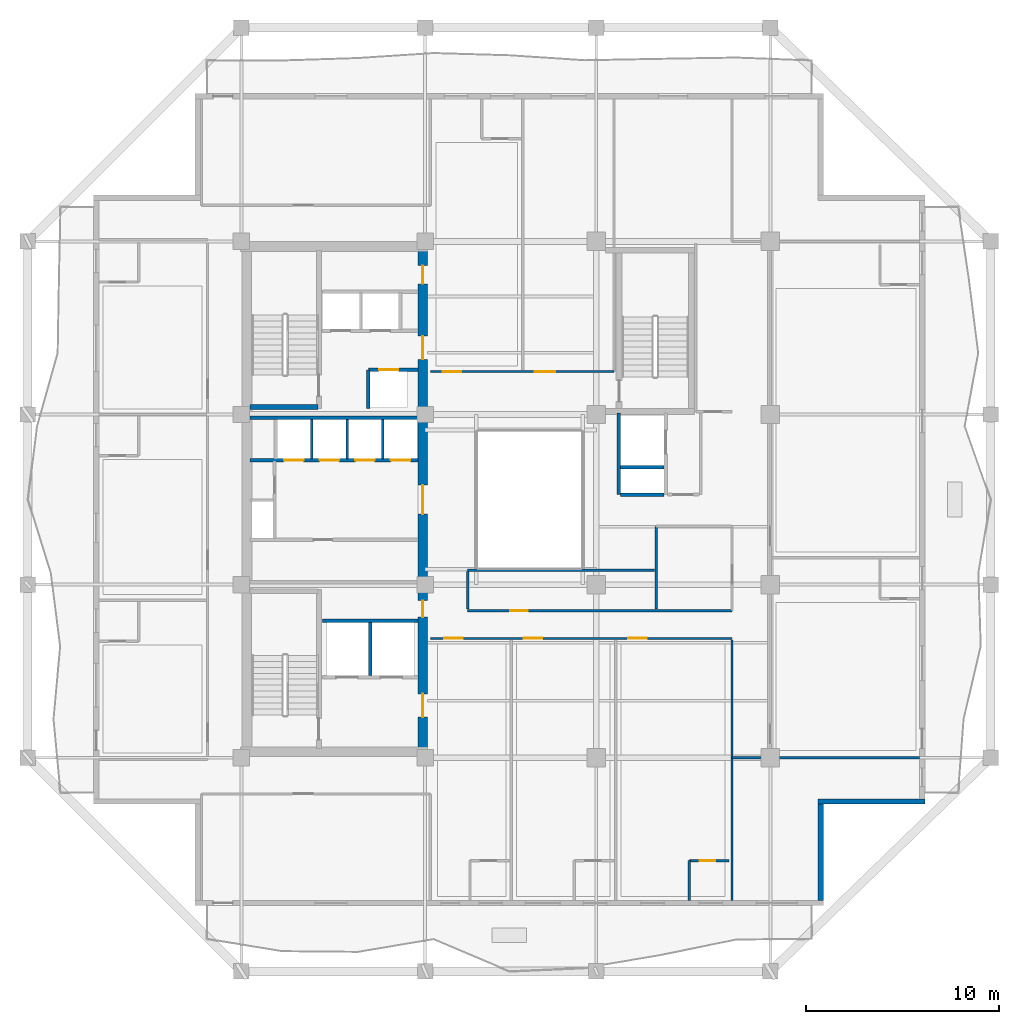
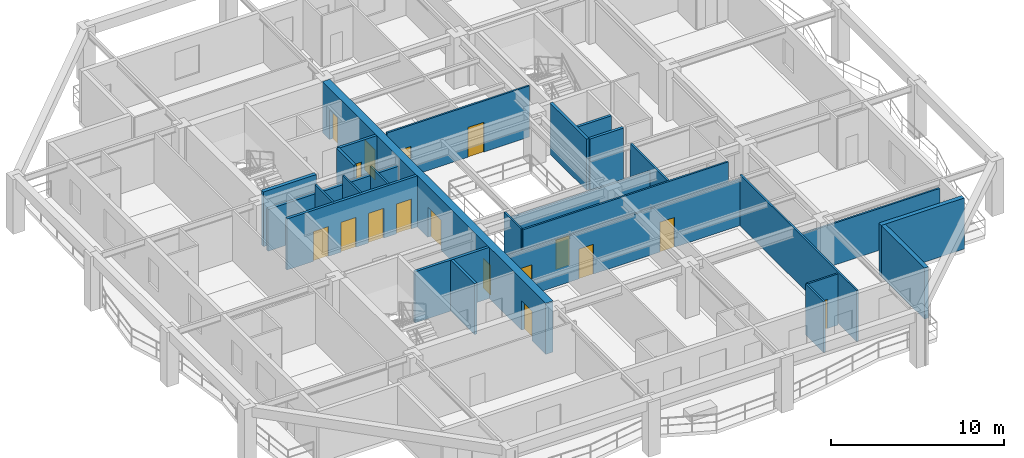
# One storey, part 4 of 12: 26 walls, 17 doors, 17 openings.
"""IFC4 building model written with IfcOpenShell, lengths in metres."""

import ifcopenshell
import ifcopenshell.guid

model = None  # the IFC model being written
_history = None  # IfcOwnerHistory: only IFC2X3 demands one
_inside = {}  # id of a spatial element -> (the spatial element, [elements in it])
_under = {}  # id of a project, library or spatial element -> (it, [spatial elements below it])
_declared = {}  # id of a project -> (the project, [libraries it declares])
_typed = {}  # id of a type object -> (the type object, [elements of that type])
_made_of = {}  # id of a material, layer set ... -> (it, [elements and type objects made of it])


def new_model(schema):
    """Start an empty IFC model of exactly this schema.

    Asked for "IFC4X3", IfcOpenShell would pick the latest addendum, in which some entities
    have other attributes; the version numbers below select the first issue.
    IFC2X3 requires an IfcOwnerHistory on every rooted entity: one is made here for all.
    """
    global model, _history
    if schema == "IFC4X3":
        model = ifcopenshell.file(schema_version=(4, 3, 0, 0))
    else:
        model = ifcopenshell.file(schema=schema)
    _inside.clear()
    _under.clear()
    _declared.clear()
    _typed.clear()
    _made_of.clear()
    _history = None
    if model.schema == "IFC2X3":
        org = make("IfcOrganization", Name="unknown")
        user = make(
            "IfcPersonAndOrganization",
            ThePerson=make("IfcPerson", FamilyName="unknown"),
            TheOrganization=org,
        )
        app = make(
            "IfcApplication",
            ApplicationDeveloper=org,
            Version="unknown",
            ApplicationFullName="unknown",
            ApplicationIdentifier="unknown",
        )
        _history = make(
            "IfcOwnerHistory",
            OwningUser=user,
            OwningApplication=app,
            ChangeAction="ADDED",
            CreationDate=0,
        )
    return model


def make(cls, **values):
    """One entity of the class cls with the attributes given. An attribute that is None is left unset."""
    return model.create_entity(
        cls, **{name: value for name, value in values.items() if value is not None}
    )


def rooted(cls, **values):
    """An entity with a GlobalId (a new one), such as an element, a storey or a relation."""
    return make(cls, GlobalId=ifcopenshell.guid.new(), OwnerHistory=_history, **values)


def si_unit(unit_type, name, prefix=None):
    """IfcSIUnit, for example si_unit("LENGTHUNIT", "METRE", prefix="MILLI")."""
    return make("IfcSIUnit", UnitType=unit_type, Prefix=prefix, Name=name)


def assignment(units):
    """IfcUnitAssignment: the units of a project."""
    return None if units is None else make("IfcUnitAssignment", Units=units)


def point(xyz):
    """IfcCartesianPoint."""
    return None if xyz is None else make("IfcCartesianPoint", Coordinates=xyz)


def direction(xyz):
    """IfcDirection."""
    return None if xyz is None else make("IfcDirection", DirectionRatios=xyz)


def frame(location, z_axis=None, x_axis=None):
    """IfcAxis2Placement3D, a coordinate frame: its origin and axes. An axis left out is left unset."""
    return make(
        "IfcAxis2Placement3D",
        Location=point(location),
        Axis=direction(z_axis),
        RefDirection=direction(x_axis),
    )


def frame_2d(location, x_axis=None):
    """IfcAxis2Placement2D, a coordinate frame in the plane: its origin and x axis."""
    return make(
        "IfcAxis2Placement2D", Location=point(location), RefDirection=direction(x_axis)
    )


def origin():
    """The frame at (0, 0, 0) with its axes left unset."""
    return frame((0.0, 0.0, 0.0))


def place(relative_to, where):
    """IfcLocalPlacement: puts the frame where relative to a parent placement (None: the world)."""
    return make(
        "IfcLocalPlacement", PlacementRelTo=relative_to, RelativePlacement=where
    )


def context(
    kind, dimensions, precision=None, world=None, true_north=None, identifier=None
):
    """IfcGeometricRepresentationContext, for example the 3D "Model" context."""
    return make(
        "IfcGeometricRepresentationContext",
        ContextIdentifier=identifier,
        ContextType=kind,
        CoordinateSpaceDimension=dimensions,
        Precision=precision,
        WorldCoordinateSystem=world,
        TrueNorth=true_north,
    )


def subcontext(parent, identifier, kind, view, scale=None):
    """IfcGeometricRepresentationSubContext, for example "Body" below "Model"."""
    return make(
        "IfcGeometricRepresentationSubContext",
        ContextIdentifier=identifier,
        ContextType=kind,
        ParentContext=parent,
        TargetScale=scale,
        TargetView=view,
    )


def project(units=None, contexts=None):
    """IfcProject with its units and contexts."""
    return rooted(
        "IfcProject",
        Name="project",
        RepresentationContexts=contexts,
        UnitsInContext=assignment(units),
    )


def spatial(cls, under=None, at=None, **own):
    """A site, building, storey or space (cls), placed at a placement, below another one or the project."""
    s = rooted(cls, ObjectPlacement=at, **own)
    if under is not None:
        _under.setdefault(under.id(), (under, []))[1].append(s)
    return s


def profile(cls, at=None, kind="AREA", **sizes):
    """A parametric profile (cls). Its sizes go by their IFC names, for example OverallWidth=200.0."""
    return make(cls, ProfileType=kind, Position=at, **sizes)


def rectangle(**sizes):
    """IfcRectangleProfileDef."""
    return profile("IfcRectangleProfileDef", **sizes)


def extrude(swept, where, along, depth):
    """IfcExtrudedAreaSolid: the profile swept, set in the frame where, extruded along a direction by depth."""
    return make(
        "IfcExtrudedAreaSolid",
        SweptArea=swept,
        Position=where,
        ExtrudedDirection=direction(along),
        Depth=depth,
    )


def shape(context_of_items, identifier, shape_type, items):
    """IfcShapeRepresentation: the items that make up one representation, for example the "Body"."""
    return make(
        "IfcShapeRepresentation",
        ContextOfItems=context_of_items,
        RepresentationIdentifier=identifier,
        RepresentationType=shape_type,
        Items=items,
    )


def material(Name=None, Category=None):
    """IfcMaterial."""
    return make("IfcMaterial", Name=Name, Category=Category)


def layer(
    of_material, thickness, ventilated=None, Name=None, Category=None, Priority=None
):
    """IfcMaterialLayer: one layer of a wall or slab, of a material (None: an air gap)."""
    return make(
        "IfcMaterialLayer",
        Material=of_material,
        LayerThickness=thickness,
        IsVentilated=ventilated,
        Name=Name,
        Category=Category,
        Priority=Priority,
    )


def layer_set(layers, Name=None):
    """IfcMaterialLayerSet."""
    return make("IfcMaterialLayerSet", MaterialLayers=layers, LayerSetName=Name)


def made_of(thing, what):
    """Note that an element or type object is made of a material, layer set ...; save() writes the relation."""
    if what is not None:
        _made_of.setdefault(what.id(), (what, []))[1].append(thing)
    return thing


def type_object(cls, material=None, **own):
    """A type object (cls), such as IfcWallType, which elements share."""
    return made_of(rooted(cls, **own), material)


def element(
    cls,
    number,
    at=None,
    inside=None,
    cuts=None,
    type_object=None,
    material=None,
    context=None,
    identifier="Body",
    shape_type=None,
    held_by="IfcProductDefinitionShape",
    body=None,
    shapes=None,
    **own,
):
    """One element of the class cls, such as IfcWall. Its Tag is "e" and its number.

    at: its placement. inside: the storey or other place that contains it. cuts: it is an
    opening in that element (IfcRelVoidsElement). A single representation is given by context,
    identifier, shape_type and body (its items); several are given by shapes. held_by: the class
    of the entity that holds the representations. save() writes the other relations.
    """
    e = rooted(cls, Tag="e%d" % number, ObjectPlacement=at, **own)
    if body is not None:
        shapes = [shape(context, identifier, shape_type, body)]
    if shapes is not None:
        e.Representation = make(held_by, Representations=shapes)
    if inside is not None:
        _inside.setdefault(inside.id(), (inside, []))[1].append(e)
    if cuts is not None:
        rooted(
            "IfcRelVoidsElement", RelatingBuildingElement=cuts, RelatedOpeningElement=e
        )
    if type_object is not None:
        _typed.setdefault(type_object.id(), (type_object, []))[1].append(e)
    return made_of(e, material)


def fill(opening, filler):
    """IfcRelFillsElement: the door or window that sits in an opening."""
    return rooted(
        "IfcRelFillsElement",
        RelatingOpeningElement=opening,
        RelatedBuildingElement=filler,
    )


def aggregate(whole, parts):
    """IfcRelAggregates: a whole, such as a stair, and the parts it consists of."""
    return rooted("IfcRelAggregates", RelatingObject=whole, RelatedObjects=parts)


def save(model, path):
    """Write the relations noted so far, then the file.

    IfcRelAggregates (storeys below a building ...), IfcRelContainedInSpatialStructure (elements
    in a storey), IfcRelDefinesByType, IfcRelAssociatesMaterial and IfcRelDeclares: one each for
    every whole, place, type object, material and project.
    """
    for whole, parts in _under.values():
        aggregate(whole, parts)
    for where, things in _inside.values():
        rooted(
            "IfcRelContainedInSpatialStructure",
            RelatedElements=things,
            RelatingStructure=where,
        )
    for kind, things in _typed.values():
        rooted("IfcRelDefinesByType", RelatedObjects=things, RelatingType=kind)
    for what, things in _made_of.values():
        rooted("IfcRelAssociatesMaterial", RelatedObjects=things, RelatingMaterial=what)
    for by, libraries in _declared.values():
        rooted("IfcRelDeclares", RelatingContext=by, RelatedDefinitions=libraries)
    model.write(path)


model = new_model("IFC4")

# Units and contexts
model_context = context("Model", 3, precision=1e-05, world=origin(), true_north=direction((0.0, 1.0)))
body_context = subcontext(model_context, "Body", "Model", "MODEL_VIEW")
ifc_project = project(units=[si_unit("LENGTHUNIT", "METRE"), si_unit("AREAUNIT", "SQUARE_METRE"), si_unit("VOLUMEUNIT", "CUBIC_METRE"), si_unit("PLANEANGLEUNIT", "RADIAN"), si_unit("MASSUNIT", "GRAM", prefix="KILO")], contexts=[model_context])

# Site, building, storey
site_placement = place(None, origin())
site = spatial("IfcSite", under=ifc_project, at=site_placement, CompositionType="ELEMENT")
building_placement = place(site_placement, origin())
building = spatial("IfcBuilding", under=site, at=building_placement, Name="Kundavana Baori Tower", CompositionType="ELEMENT")
storey_placement = place(building_placement, frame((0.0, 0.0, 173.300048828125)))
storey = spatial("IfcBuildingStorey", under=building, at=storey_placement, Name="L42", CompositionType="ELEMENT", Elevation=173.300048828125)

# Wall
ifc_material_1 = material(Name="Concrete C50/60", Category="concrete")
ifc_layer_1 = layer(ifc_material_1, 0.39990234375, Name="WL-CORE-400")
ifc_layer_set_1 = layer_set([ifc_layer_1], Name="Concrete C50/60")
wall_type_1 = type_object("IfcWallType", Name="WL-CORE-400", PredefinedType="SHEAR", material=ifc_layer_set_1)
wall_1_placement = place(storey_placement, frame((15.89990234375, 33.389892578125, 0.0), z_axis=(0.0, 0.0, 1.0), x_axis=(1.0, 0.0, 0.0)))
element("IfcWall", 1, at=wall_1_placement, inside=storey, type_object=wall_type_1, Name="WL-L42-ST2-S", PredefinedType="SHEAR", context=body_context, shape_type="SweptSolid", body=[
    extrude(rectangle(XDim=3.52001953125, YDim=0.239990234375, at=frame_2d((1.760009765625, 0.0))), origin(), (0.0, 0.0, 1.0), 3.849853515625),
])

# Wall, openings, doors
ifc_material_2 = material(Name="Concrete C50/60", Category="concrete")
ifc_layer_2 = layer(ifc_material_2, 0.5, Name="WL-CORE-500")
ifc_layer_set_2 = layer_set([ifc_layer_2], Name="Concrete C50/60")
wall_type_2 = type_object("IfcWallType", Name="WL-CORE-500", PredefinedType="SHEAR", material=ifc_layer_set_2)
wall_2_placement = place(storey_placement, frame((24.830078125, 15.739990234375, 0.0), z_axis=(0.0, 0.0, 1.0), x_axis=(0.0, 1.0, 0.0)))
wall_2 = element("IfcWall", 2, at=wall_2_placement, inside=storey, type_object=wall_type_2, Name="L42 Offset Core East Shear Wall", PredefinedType="SHEAR", context=body_context, shape_type="SweptSolid", body=[
    extrude(rectangle(XDim=25.760009765625, YDim=0.5, at=frame_2d((12.8798828125, 0.0))), origin(), (0.0, 0.0, 1.0), 3.599853515625),
])
opening_1_placement = place(wall_2_placement, frame((1.610107421875, 0.0, 0.0)))
opening_1 = element("IfcOpeningElement", 3, at=opening_1_placement, cuts=wall_2, Name="Opening FD-120", PredefinedType="OPENING", context=body_context, shape_type="SweptSolid", body=[
    extrude(rectangle(XDim=1.199951171875, YDim=2.10009765625, at=frame_2d((0.60009765625, 1.050048828125))), frame((0.0, 0.260009765625, 0.0), z_axis=(0.0, -1.0, 0.0), x_axis=(1.0, 0.0, 0.0)), (0.0, 0.0, 1.0), 0.52001953125),
])
opening_2_placement = place(wall_2_placement, frame((6.780029296875, 0.0, 0.0)))
opening_2 = element("IfcOpeningElement", 4, at=opening_2_placement, cuts=wall_2, Name="Opening FD-085", PredefinedType="OPENING", context=body_context, shape_type="SweptSolid", body=[
    extrude(rectangle(XDim=0.85009765625, YDim=2.06005859375, at=frame_2d((0.425048828125, 1.030029296875))), frame((0.0, 0.260009765625, 0.0), z_axis=(0.0, -1.0, 0.0), x_axis=(1.0, 0.0, 0.0)), (0.0, 0.0, 1.0), 0.52001953125),
])
opening_3_placement = place(wall_2_placement, frame((12.110107421875, 0.0, 0.0)))
opening_3 = element("IfcOpeningElement", 5, at=opening_3_placement, cuts=wall_2, Name="Opening FD-150", PredefinedType="OPENING", context=body_context, shape_type="SweptSolid", body=[
    extrude(rectangle(XDim=1.5, YDim=2.1201171875, at=frame_2d((0.75, 1.06005859375))), frame((0.0, 0.260009765625, 0.0), z_axis=(0.0, -1.0, 0.0), x_axis=(1.0, 0.0, 0.0)), (0.0, 0.0, 1.0), 0.52001953125),
])
opening_4_placement = place(wall_2_placement, frame((20.110107421875, 0.0, 0.0)))
opening_4 = element("IfcOpeningElement", 6, at=opening_4_placement, cuts=wall_2, Name="Opening FD-122", PredefinedType="OPENING", context=body_context, shape_type="SweptSolid", body=[
    extrude(rectangle(XDim=1.199951171875, YDim=2.1201171875, at=frame_2d((0.60009765625, 1.06005859375))), frame((0.0, 0.260009765625, 0.0), z_axis=(0.0, -1.0, 0.0), x_axis=(1.0, 0.0, 0.0)), (0.0, 0.0, 1.0), 0.52001953125),
])
opening_5_placement = place(wall_2_placement, frame((24.010009765625, 0.0, 0.0)))
opening_5 = element("IfcOpeningElement", 7, at=opening_5_placement, cuts=wall_2, Name="Opening FD-095", PredefinedType="OPENING", context=body_context, shape_type="SweptSolid", body=[
    extrude(rectangle(XDim=0.949951171875, YDim=2.10009765625, at=frame_2d((0.47509765625, 1.050048828125))), frame((0.0, 0.260009765625, 0.0), z_axis=(0.0, -1.0, 0.0), x_axis=(1.0, 0.0, 0.0)), (0.0, 0.0, 1.0), 0.52001953125),
])
ifc_material_3 = material(Name="Galvanised Steel Fire-Rated Door Leaf", Category="steel")
door_type_1 = type_object("IfcDoorType", Name="DR-FD120-1200", OperationType="NOTDEFINED", PredefinedType="DOOR", material=ifc_material_3)
door_1_placement = place(opening_1_placement, frame((1.199951171875, 0.0, 0.0), z_axis=(0.0, 0.0, 1.0), x_axis=(-1.0, 0.0, 0.0)))
door_1 = element("IfcDoor", 8, at=door_1_placement, inside=storey, type_object=door_type_1, Name="DR-L42-FFLOB-E", OperationType="SINGLE_SWING_RIGHT", OverallHeight=2.10009765625, OverallWidth=1.199951171875, PredefinedType="DOOR", context=body_context, shape_type="SweptSolid", body=[
    extrude(rectangle(XDim=1.199951171875, YDim=2.10009765625, at=frame_2d((0.60009765625, 1.050048828125))), frame((0.0, 0.02490234375, 0.0), z_axis=(0.0, -1.0, 0.0), x_axis=(1.0, 0.0, 0.0)), (0.0, 0.0, 1.0), 0.050048828125),
])
fill(opening_1, door_1)
ifc_material_4 = material(Name="Galvanised Steel Fire-Rated Door Leaf", Category="steel")
door_type_2 = type_object("IfcDoorType", Name="DR-FD60-1200", OperationType="NOTDEFINED", PredefinedType="DOOR", material=ifc_material_4)
door_2_placement = place(opening_4_placement, frame((1.199951171875, 0.0, 0.0), z_axis=(0.0, 0.0, 1.0), x_axis=(-1.0, 0.0, 0.0)))
door_2 = element("IfcDoor", 9, at=door_2_placement, inside=storey, type_object=door_type_2, Name="DR-L42-HRLOB-E", OperationType="SINGLE_SWING_RIGHT", OverallHeight=2.1201171875, OverallWidth=1.199951171875, PredefinedType="DOOR", context=body_context, shape_type="SweptSolid", body=[
    extrude(rectangle(XDim=1.199951171875, YDim=2.1201171875, at=frame_2d((0.60009765625, 1.06005859375))), frame((0.0, 0.02490234375, 0.0), z_axis=(0.0, -1.0, 0.0), x_axis=(1.0, 0.0, 0.0)), (0.0, 0.0, 1.0), 0.050048828125),
])
fill(opening_4, door_2)
ifc_material_5 = material(Name="Galvanised Steel Fire-Rated Door Leaf", Category="steel")
door_type_3 = type_object("IfcDoorType", Name="DR-FD60-1500", OperationType="NOTDEFINED", PredefinedType="DOOR", material=ifc_material_5)
door_3_placement = place(opening_3_placement, frame((1.5, 0.0, 0.0), z_axis=(0.0, 0.0, 1.0), x_axis=(-1.0, 0.0, 0.0)))
door_3 = element("IfcDoor", 10, at=door_3_placement, inside=storey, type_object=door_type_3, Name="DR-L42-LIFTHALL-E", OperationType="SINGLE_SWING_LEFT", OverallHeight=2.1201171875, OverallWidth=1.5, PredefinedType="DOOR", context=body_context, shape_type="SweptSolid", body=[
    extrude(rectangle(XDim=1.5, YDim=2.1201171875, at=frame_2d((0.75, 1.06005859375))), frame((0.0, 0.02490234375, 0.0), z_axis=(0.0, -1.0, 0.0), x_axis=(1.0, 0.0, 0.0)), (0.0, 0.0, 1.0), 0.050048828125),
])
fill(opening_3, door_3)
ifc_material_6 = material(Name="Galvanised Steel Fire-Rated Door Leaf", Category="steel")
door_type_4 = type_object("IfcDoorType", Name="DR-FD60-850", OperationType="NOTDEFINED", PredefinedType="DOOR", material=ifc_material_6)
door_4_placement = place(opening_2_placement, frame((0.85009765625, 0.0, 0.0), z_axis=(0.0, 0.0, 1.0), x_axis=(-1.0, 0.0, 0.0)))
door_4 = element("IfcDoor", 11, at=door_4_placement, inside=storey, type_object=door_type_4, Name="DR-L42-CSMK1", OperationType="SINGLE_SWING_LEFT", OverallHeight=2.06005859375, OverallWidth=0.85009765625, PredefinedType="DOOR", context=body_context, shape_type="SweptSolid", body=[
    extrude(rectangle(XDim=0.85009765625, YDim=2.06005859375, at=frame_2d((0.425048828125, 1.030029296875))), frame((0.0, 0.02490234375, 0.0), z_axis=(0.0, -1.0, 0.0), x_axis=(1.0, 0.0, 0.0)), (0.0, 0.0, 1.0), 0.050048828125),
])
fill(opening_2, door_4)
ifc_material_7 = material(Name="Engineered Teak Fire-Rated Timber Door Leaf", Category="wood")
door_type_5 = type_object("IfcDoorType", Name="DR-FD60-950", OperationType="NOTDEFINED", PredefinedType="DOOR", material=ifc_material_7)
door_5_placement = place(opening_5_placement, frame((0.949951171875, 0.0, 0.0), z_axis=(0.0, 0.0, 1.0), x_axis=(-1.0, 0.0, 0.0)))
door_5 = element("IfcDoor", 12, at=door_5_placement, inside=storey, type_object=door_type_5, Name="DR-L42-CSRV1", OperationType="SINGLE_SWING_LEFT", OverallHeight=2.10009765625, OverallWidth=0.949951171875, PredefinedType="DOOR", context=body_context, shape_type="SweptSolid", body=[
    extrude(rectangle(XDim=0.949951171875, YDim=2.10009765625, at=frame_2d((0.47509765625, 1.050048828125))), frame((0.0, 0.02490234375, 0.0), z_axis=(0.0, -1.0, 0.0), x_axis=(1.0, 0.0, 0.0)), (0.0, 0.0, 1.0), 0.050048828125),
])
fill(opening_5, door_5)

# Walls
ifc_material_8 = material(Name="Red-Buff Dholpur Sandstone Cladding on Concrete C40/50", Category="masonry")
ifc_layer_3 = layer(ifc_material_8, 0.280029296875, Name="WL-EXT-SAND-280")
ifc_layer_set_3 = layer_set([ifc_layer_3], Name="Red-Buff Dholpur Sandstone Cladding on Concrete C40/50")
wall_type_3 = type_object("IfcWallType", Name="WL-EXT-SAND-280", PredefinedType="STANDARD", material=ifc_layer_set_3)
wall_3_placement = place(storey_placement, frame((45.409912109375, 7.8798828125, 0.0), z_axis=(0.0, 0.0, 1.0), x_axis=(0.0, 1.0, 0.0)))
element("IfcWall", 13, at=wall_3_placement, inside=storey, type_object=wall_type_3, Name="L42 Exterior Insulated Facade Wall 02", PredefinedType="STANDARD", context=body_context, shape_type="SweptSolid", body=[
    extrude(rectangle(XDim=4.97021484375, YDim=0.280029296875, at=frame_2d((2.485107421875, 0.0))), origin(), (0.0, 0.0, 1.0), 3.599853515625),
])
wall_4_placement = place(storey_placement, frame((45.27001953125, 12.989990234375, 0.0), z_axis=(0.0, 0.0, 1.0), x_axis=(1.0, 0.0, 0.0)))
element("IfcWall", 14, at=wall_4_placement, inside=storey, type_object=wall_type_3, Name="L42 Exterior Insulated Facade Wall 03", PredefinedType="STANDARD", context=body_context, shape_type="SweptSolid", body=[
    extrude(rectangle(XDim=5.530029296875, YDim=0.280029296875, at=frame_2d((2.76513671875, 0.0))), origin(), (0.0, 0.0, 1.0), 3.599853515625),
])
ifc_material_9 = material(Name="Acoustic Gypsum Plasterboard on Galvanised Steel Studs", Category="steel")
ifc_layer_4 = layer(ifc_material_9, 0.1201171875, Name="WL-PART-120")
ifc_layer_set_4 = layer_set([ifc_layer_4], Name="Acoustic Gypsum Plasterboard on Galvanised Steel Studs")
wall_type_4 = type_object("IfcWallType", Name="WL-PART-120", PredefinedType="PARTITIONING", material=ifc_layer_set_4)
for number, where, z_axis, x_axis, name in (
    (15, (19.080078125, 30.699951171875, 0.0), (0.0, 0.0, 1.0), (0.0, 1.0, 0.0), "WL-L42-LPMID-D1"),
    (16, (20.919921875, 30.699951171875, 0.0), (0.0, 0.0, 1.0), (0.0, 1.0, 0.0), "WL-L42-LPMID-D2"),
    (17, (22.760009765625, 30.699951171875, 0.0), (0.0, 0.0, 1.0), (0.0, 1.0, 0.0), "WL-L42-LPMID-D3"),
):
    element("IfcWall", number, at=place(storey_placement, frame(where, z_axis=z_axis, x_axis=x_axis)), inside=storey, type_object=wall_type_4, Name=name, PredefinedType="PARTITIONING", context=body_context, shape_type="SweptSolid", body=[
        extrude(rectangle(XDim=2.050048828125, YDim=0.1201171875, at=frame_2d((1.02490234375, 0.0))), origin(), (0.0, 0.0, 1.0), 3.599853515625),
    ])

# Wall, openings, doors
wall_5_placement = place(storey_placement, frame((25.219970703125, 21.419921875, 0.0), z_axis=(0.0, 0.0, 1.0), x_axis=(1.0, 0.0, 0.0)))
wall_5 = element("IfcWall", 18, at=wall_5_placement, inside=storey, type_object=wall_type_4, Name="WL-L42-HS", PredefinedType="PARTITIONING", context=body_context, shape_type="SweptSolid", body=[
    extrude(rectangle(XDim=15.60009765625, YDim=0.1201171875, at=frame_2d((7.800048828125, 0.0))), origin(), (0.0, 0.0, 1.0), 3.25),
])
opening_6_placement = place(wall_5_placement, frame((0.72998046875, 0.0, 0.0)))
opening_6 = element("IfcOpeningElement", 19, at=opening_6_placement, cuts=wall_5, Name="Opening FD-095", PredefinedType="OPENING", context=body_context, shape_type="SweptSolid", body=[
    extrude(rectangle(XDim=0.949951171875, YDim=2.10009765625, at=frame_2d((0.47509765625, 1.050048828125))), frame((0.0, 0.070068359375, 0.0), z_axis=(0.0, -1.0, 0.0), x_axis=(1.0, 0.0, 0.0)), (0.0, 0.0, 1.0), 0.14013671875),
])
opening_7_placement = place(wall_5_placement, frame((4.830078125, 0.0, 0.0)))
opening_7 = element("IfcOpeningElement", 20, at=opening_7_placement, cuts=wall_5, Name="Opening FD-095", PredefinedType="OPENING", context=body_context, shape_type="SweptSolid", body=[
    extrude(rectangle(XDim=0.949951171875, YDim=2.10009765625, at=frame_2d((0.47509765625, 1.050048828125))), frame((0.0, 0.070068359375, 0.0), z_axis=(0.0, -1.0, 0.0), x_axis=(1.0, 0.0, 0.0)), (0.0, 0.0, 1.0), 0.14013671875),
])
opening_8_placement = place(wall_5_placement, frame((10.22998046875, 0.0, 0.0)))
opening_8 = element("IfcOpeningElement", 21, at=opening_8_placement, cuts=wall_5, Name="Opening FD-095", PredefinedType="OPENING", context=body_context, shape_type="SweptSolid", body=[
    extrude(rectangle(XDim=0.949951171875, YDim=2.10009765625, at=frame_2d((0.47509765625, 1.050048828125))), frame((0.0, 0.070068359375, 0.0), z_axis=(0.0, -1.0, 0.0), x_axis=(1.0, 0.0, 0.0)), (0.0, 0.0, 1.0), 0.14013671875),
])
door_6_placement = place(opening_6_placement, frame((0.949951171875, 0.0, 0.0), z_axis=(0.0, 0.0, 1.0), x_axis=(-1.0, 0.0, 0.0)))
door_6 = element("IfcDoor", 22, at=door_6_placement, inside=storey, type_object=door_type_5, Name="DR-L42-HK-S1-ENT", OperationType="SINGLE_SWING_RIGHT", OverallHeight=2.10009765625, OverallWidth=0.949951171875, PredefinedType="DOOR", context=body_context, shape_type="SweptSolid", body=[
    extrude(rectangle(XDim=0.949951171875, YDim=2.10009765625, at=frame_2d((0.47509765625, 1.050048828125))), frame((0.0, 0.02490234375, 0.0), z_axis=(0.0, -1.0, 0.0), x_axis=(1.0, 0.0, 0.0)), (0.0, 0.0, 1.0), 0.050048828125),
])
fill(opening_6, door_6)
door_7_placement = place(opening_7_placement, frame((0.949951171875, 0.0, 0.0), z_axis=(0.0, 0.0, 1.0), x_axis=(-1.0, 0.0, 0.0)))
door_7 = element("IfcDoor", 23, at=door_7_placement, inside=storey, type_object=door_type_5, Name="DR-L42-HK-S2-ENT", OperationType="SINGLE_SWING_RIGHT", OverallHeight=2.10009765625, OverallWidth=0.949951171875, PredefinedType="DOOR", context=body_context, shape_type="SweptSolid", body=[
    extrude(rectangle(XDim=0.949951171875, YDim=2.10009765625, at=frame_2d((0.47509765625, 1.050048828125))), frame((0.0, 0.02490234375, 0.0), z_axis=(0.0, -1.0, 0.0), x_axis=(1.0, 0.0, 0.0)), (0.0, 0.0, 1.0), 0.050048828125),
])
fill(opening_7, door_7)
door_8_placement = place(opening_8_placement, frame((0.949951171875, 0.0, 0.0), z_axis=(0.0, 0.0, 1.0), x_axis=(-1.0, 0.0, 0.0)))
door_8 = element("IfcDoor", 24, at=door_8_placement, inside=storey, type_object=door_type_5, Name="DR-L42-HK-S3-ENT", OperationType="SINGLE_SWING_RIGHT", OverallHeight=2.10009765625, OverallWidth=0.949951171875, PredefinedType="DOOR", context=body_context, shape_type="SweptSolid", body=[
    extrude(rectangle(XDim=0.949951171875, YDim=2.10009765625, at=frame_2d((0.47509765625, 1.050048828125))), frame((0.0, 0.02490234375, 0.0), z_axis=(0.0, -1.0, 0.0), x_axis=(1.0, 0.0, 0.0)), (0.0, 0.0, 1.0), 0.050048828125),
])
fill(opening_8, door_8)

# Wall, opening, door
wall_6_placement = place(storey_placement, frame((27.14990234375, 22.860107421875, 0.0), z_axis=(0.0, 0.0, 1.0), x_axis=(1.0, 0.0, 0.0)))
wall_6 = element("IfcWall", 25, at=wall_6_placement, inside=storey, type_object=wall_type_4, Name="WL-L42-HST", PredefinedType="PARTITIONING", context=body_context, shape_type="SweptSolid", body=[
    extrude(rectangle(XDim=13.670166015625, YDim=0.1201171875, at=frame_2d((6.8349609375, 0.0))), origin(), (0.0, 0.0, 1.0), 3.599853515625),
])
opening_9_placement = place(wall_6_placement, frame((2.199951171875, 0.0, 0.0)))
opening_9 = element("IfcOpeningElement", 26, at=opening_9_placement, cuts=wall_6, Name="Opening ID-090", PredefinedType="OPENING", context=body_context, shape_type="SweptSolid", body=[
    extrude(rectangle(XDim=0.89990234375, YDim=2.080078125, at=frame_2d((0.449951171875, 1.0400390625))), frame((0.0, 0.070068359375, 0.0), z_axis=(0.0, -1.0, 0.0), x_axis=(1.0, 0.0, 0.0)), (0.0, 0.0, 1.0), 0.14013671875),
])
ifc_material_10 = material(Name="Engineered Teak Solid-Core Timber Veneer", Category="wood")
door_type_6 = type_object("IfcDoorType", Name="DR-INT-900", OperationType="NOTDEFINED", PredefinedType="DOOR", material=ifc_material_10)
door_9_placement = place(opening_9_placement, origin())
door_9 = element("IfcDoor", 27, at=door_9_placement, inside=storey, type_object=door_type_6, Name="DR-L42-HPNT", OperationType="SINGLE_SWING_LEFT", OverallHeight=2.080078125, OverallWidth=0.89990234375, PredefinedType="DOOR", context=body_context, shape_type="SweptSolid", body=[
    extrude(rectangle(XDim=0.89990234375, YDim=2.080078125, at=frame_2d((0.449951171875, 1.0400390625))), frame((0.0, 0.02490234375, 0.0), z_axis=(0.0, -1.0, 0.0), x_axis=(1.0, 0.0, 0.0)), (0.0, 0.0, 1.0), 0.050048828125),
])
fill(opening_9, door_9)

# Wall, openings, doors
wall_7_placement = place(storey_placement, frame((25.219970703125, 35.219970703125, 0.0), z_axis=(0.0, 0.0, 1.0), x_axis=(1.0, 0.0, 0.0)))
wall_7 = element("IfcWall", 28, at=wall_7_placement, inside=storey, type_object=wall_type_4, Name="WL-L42-HN", PredefinedType="PARTITIONING", context=body_context, shape_type="SweptSolid", body=[
    extrude(rectangle(XDim=9.5, YDim=0.1201171875, at=frame_2d((4.75, 0.0))), origin(), (0.0, 0.0, 1.0), 3.599853515625),
])
opening_10_placement = place(wall_7_placement, frame((0.64990234375, 0.0, 0.0)))
opening_10 = element("IfcOpeningElement", 29, at=opening_10_placement, cuts=wall_7, Name="Opening FD-095", PredefinedType="OPENING", context=body_context, shape_type="SweptSolid", body=[
    extrude(rectangle(XDim=0.949951171875, YDim=2.10009765625, at=frame_2d((0.47509765625, 1.050048828125))), frame((0.0, 0.070068359375, 0.0), z_axis=(0.0, -1.0, 0.0), x_axis=(1.0, 0.0, 0.0)), (0.0, 0.0, 1.0), 0.14013671875),
])
opening_11_placement = place(wall_7_placement, frame((5.39990234375, 0.0, 0.0)))
opening_11 = element("IfcOpeningElement", 30, at=opening_11_placement, cuts=wall_7, Name="Opening ID-105", PredefinedType="OPENING", context=body_context, shape_type="SweptSolid", body=[
    extrude(rectangle(XDim=1.050048828125, YDim=2.10009765625, at=frame_2d((0.52490234375, 1.050048828125))), frame((0.0, 0.070068359375, 0.0), z_axis=(0.0, -1.0, 0.0), x_axis=(1.0, 0.0, 0.0)), (0.0, 0.0, 1.0), 0.14013671875),
])
door_10_placement = place(opening_10_placement, origin())
door_10 = element("IfcDoor", 31, at=door_10_placement, inside=storey, type_object=door_type_5, Name="DR-L42-HK-N1-ENT", OperationType="SINGLE_SWING_LEFT", OverallHeight=2.10009765625, OverallWidth=0.949951171875, PredefinedType="DOOR", context=body_context, shape_type="SweptSolid", body=[
    extrude(rectangle(XDim=0.949951171875, YDim=2.10009765625, at=frame_2d((0.47509765625, 1.050048828125))), frame((0.0, 0.02490234375, 0.0), z_axis=(0.0, -1.0, 0.0), x_axis=(1.0, 0.0, 0.0)), (0.0, 0.0, 1.0), 0.050048828125),
])
fill(opening_10, door_10)
ifc_material_11 = material(Name="Engineered Teak Solid-Core Timber Veneer", Category="wood")
door_type_7 = type_object("IfcDoorType", Name="DR-INT-1050", OperationType="NOTDEFINED", PredefinedType="DOOR", material=ifc_material_11)
door_11_placement = place(opening_11_placement, origin())
door_11 = element("IfcDoor", 32, at=door_11_placement, inside=storey, type_object=door_type_7, Name="DR-L42-HLNG", OperationType="SINGLE_SWING_RIGHT", OverallHeight=2.10009765625, OverallWidth=1.050048828125, PredefinedType="DOOR", context=body_context, shape_type="SweptSolid", body=[
    extrude(rectangle(XDim=1.050048828125, YDim=2.10009765625, at=frame_2d((0.52490234375, 1.050048828125))), frame((0.0, 0.02490234375, 0.0), z_axis=(0.0, -1.0, 0.0), x_axis=(1.0, 0.0, 0.0)), (0.0, 0.0, 1.0), 0.050048828125),
])
fill(opening_11, door_11)

# Walls
wall_8_placement = place(storey_placement, frame((40.820068359375, 15.25, 0.0), z_axis=(0.0, 0.0, 1.0), x_axis=(1.0, 0.0, 0.0)))
element("IfcWall", 33, at=wall_8_placement, inside=storey, type_object=wall_type_4, Name="WL-L42-HES", PredefinedType="PARTITIONING", context=body_context, shape_type="SweptSolid", body=[
    extrude(rectangle(XDim=9.699951171875, YDim=0.1201171875, at=frame_2d((4.85009765625, 0.0))), origin(), (0.0, 0.0, 1.0), 2.949951171875),
])
wall_9_placement = place(storey_placement, frame((36.89990234375, 22.93994140625, 0.0), z_axis=(0.0, 0.0, 1.0), x_axis=(0.0, 1.0, 0.0)))
element("IfcWall", 34, at=wall_9_placement, inside=storey, type_object=wall_type_4, Name="WL-L42-HKD", PredefinedType="PARTITIONING", context=body_context, shape_type="SweptSolid", body=[
    extrude(rectangle(XDim=4.280029296875, YDim=0.1201171875, at=frame_2d((2.14013671875, 0.0))), origin(), (0.0, 0.0, 1.0), 3.599853515625),
])
wall_10_placement = place(storey_placement, frame((27.14990234375, 24.949951171875, 0.0), z_axis=(0.0, 0.0, 1.0), x_axis=(1.0, 0.0, 0.0)))
element("IfcWall", 35, at=wall_10_placement, inside=storey, type_object=wall_type_4, Name="WL-L42-HPN1", PredefinedType="PARTITIONING", context=body_context, shape_type="SweptSolid", body=[
    extrude(rectangle(XDim=9.670166015625, YDim=0.1201171875, at=frame_2d((4.8349609375, 0.0))), origin(), (0.0, 0.0, 1.0), 3.050048828125),
])
wall_11_placement = place(storey_placement, frame((27.14990234375, 22.93994140625, 0.0), z_axis=(0.0, 0.0, 1.0), x_axis=(0.0, 1.0, 0.0)))
element("IfcWall", 36, at=wall_11_placement, inside=storey, type_object=wall_type_4, Name="WL-L42-HPN2", PredefinedType="PARTITIONING", context=body_context, shape_type="SweptSolid", body=[
    extrude(rectangle(XDim=1.93994140625, YDim=0.1201171875, at=frame_2d((0.969970703125, 0.0))), origin(), (0.0, 0.0, 1.0), 3.599853515625),
])
wall_12_placement = place(storey_placement, frame((40.820068359375, 7.8798828125, 0.0), z_axis=(0.0, 0.0, 1.0), x_axis=(0.0, 1.0, 0.0)))
element("IfcWall", 37, at=wall_12_placement, inside=storey, type_object=wall_type_4, Name="WL-L42-HSEND", PredefinedType="PARTITIONING", context=body_context, shape_type="SweptSolid", body=[
    extrude(rectangle(XDim=13.460205078125, YDim=0.1201171875, at=frame_2d((6.72998046875, 0.0))), origin(), (0.0, 0.0, 1.0), 3.599853515625),
])
ifc_material_12 = material(Name="Autoclaved Aerated Concrete Blockwork Masonry", Category="masonry")
ifc_layer_5 = layer(ifc_material_12, 0.179931640625, Name="WL-SHAFT-180")
ifc_layer_set_5 = layer_set([ifc_layer_5], Name="Autoclaved Aerated Concrete Blockwork Masonry")
wall_type_5 = type_object("IfcWallType", Name="WL-SHAFT-180", PredefinedType="SOLIDWALL", material=ifc_layer_set_5)
wall_13_placement = place(storey_placement, frame((22.10009765625, 19.510009765625, 0.0), z_axis=(0.0, 0.0, 1.0), x_axis=(0.0, 1.0, 0.0)))
element("IfcWall", 38, at=wall_13_placement, inside=storey, type_object=wall_type_5, Name="WL-L42-FFL-MID", PredefinedType="SOLIDWALL", context=body_context, shape_type="SweptSolid", body=[
    extrude(rectangle(XDim=2.739990234375, YDim=0.179931640625, at=frame_2d((1.3701171875, 0.0))), origin(), (0.0, 0.0, 1.0), 3.599853515625),
])
wall_14_placement = place(storey_placement, frame((19.639892578125, 22.340087890625, 0.0), z_axis=(0.0, 0.0, 1.0), x_axis=(1.0, 0.0, 0.0)))
element("IfcWall", 39, at=wall_14_placement, inside=storey, type_object=wall_type_5, Name="WL-L42-FFL-N", PredefinedType="SOLIDWALL", context=body_context, shape_type="SweptSolid", body=[
    extrude(rectangle(XDim=4.940185546875, YDim=0.179931640625, at=frame_2d((2.47021484375, 0.0))), origin(), (0.0, 0.0, 1.0), 3.599853515625),
])

# Wall, openings, doors
wall_15_placement = place(storey_placement, frame((15.89990234375, 30.639892578125, 0.0), z_axis=(0.0, 0.0, 1.0), x_axis=(1.0, 0.0, 0.0)))
wall_15 = element("IfcWall", 40, at=wall_15_placement, inside=storey, type_object=wall_type_5, Name="WL-L42-LPMID-S", PredefinedType="SOLIDWALL", context=body_context, shape_type="SweptSolid", body=[
    extrude(rectangle(XDim=8.68017578125, YDim=0.179931640625, at=frame_2d((4.340087890625, 0.0))), origin(), (0.0, 0.0, 1.0), 3.599853515625),
])
opening_12_placement = place(wall_15_placement, frame((1.760009765625, 0.0, 0.0)))
opening_12 = element("IfcOpeningElement", 41, at=opening_12_placement, cuts=wall_15, Name="Opening LD-100", PredefinedType="OPENING", context=body_context, shape_type="SweptSolid", body=[
    extrude(rectangle(XDim=1.0, YDim=2.10009765625, at=frame_2d((0.5, 1.050048828125))), frame((0.0, 0.10009765625, 0.0), z_axis=(0.0, -1.0, 0.0), x_axis=(1.0, 0.0, 0.0)), (0.0, 0.0, 1.0), 0.199951171875),
])
opening_13_placement = place(wall_15_placement, frame((3.60009765625, 0.0, 0.0)))
opening_13 = element("IfcOpeningElement", 42, at=opening_13_placement, cuts=wall_15, Name="Opening LD-100", PredefinedType="OPENING", context=body_context, shape_type="SweptSolid", body=[
    extrude(rectangle(XDim=1.0, YDim=2.10009765625, at=frame_2d((0.5, 1.050048828125))), frame((0.0, 0.10009765625, 0.0), z_axis=(0.0, -1.0, 0.0), x_axis=(1.0, 0.0, 0.0)), (0.0, 0.0, 1.0), 0.199951171875),
])
opening_14_placement = place(wall_15_placement, frame((5.43994140625, 0.0, 0.0)))
opening_14 = element("IfcOpeningElement", 43, at=opening_14_placement, cuts=wall_15, Name="Opening LD-100", PredefinedType="OPENING", context=body_context, shape_type="SweptSolid", body=[
    extrude(rectangle(XDim=1.0, YDim=2.10009765625, at=frame_2d((0.5, 1.050048828125))), frame((0.0, 0.10009765625, 0.0), z_axis=(0.0, -1.0, 0.0), x_axis=(1.0, 0.0, 0.0)), (0.0, 0.0, 1.0), 0.199951171875),
])
opening_15_placement = place(wall_15_placement, frame((7.280029296875, 0.0, 0.0)))
opening_15 = element("IfcOpeningElement", 44, at=opening_15_placement, cuts=wall_15, Name="Opening LD-100", PredefinedType="OPENING", context=body_context, shape_type="SweptSolid", body=[
    extrude(rectangle(XDim=1.0, YDim=2.10009765625, at=frame_2d((0.5, 1.050048828125))), frame((0.0, 0.10009765625, 0.0), z_axis=(0.0, -1.0, 0.0), x_axis=(1.0, 0.0, 0.0)), (0.0, 0.0, 1.0), 0.199951171875),
])
ifc_material_13 = material(Name="Galvanised Steel Fire-Rated Door Leaf", Category="steel")
door_type_8 = type_object("IfcDoorType", Name="DR-SLIDE-LD1000", OperationType="NOTDEFINED", PredefinedType="DOOR", material=ifc_material_13)
door_12_placement = place(opening_12_placement, frame((1.0, 0.0, 0.0), z_axis=(0.0, 0.0, 1.0), x_axis=(-1.0, 0.0, 0.0)))
door_12 = element("IfcDoor", 45, at=door_12_placement, inside=storey, type_object=door_type_8, Name="DR-L42-LD-LP-05", OperationType="DOUBLE_DOOR_SLIDING", OverallHeight=2.10009765625, OverallWidth=1.0, PredefinedType="DOOR", context=body_context, shape_type="SweptSolid", body=[
    extrude(rectangle(XDim=1.0, YDim=2.10009765625, at=frame_2d((0.5, 1.050048828125))), frame((0.0, 0.02490234375, 0.0), z_axis=(0.0, -1.0, 0.0), x_axis=(1.0, 0.0, 0.0)), (0.0, 0.0, 1.0), 0.050048828125),
])
fill(opening_12, door_12)
door_13_placement = place(opening_13_placement, frame((1.0, 0.0, 0.0), z_axis=(0.0, 0.0, 1.0), x_axis=(-1.0, 0.0, 0.0)))
door_13 = element("IfcDoor", 46, at=door_13_placement, inside=storey, type_object=door_type_8, Name="DR-L42-LD-LP-06", OperationType="DOUBLE_DOOR_SLIDING", OverallHeight=2.10009765625, OverallWidth=1.0, PredefinedType="DOOR", context=body_context, shape_type="SweptSolid", body=[
    extrude(rectangle(XDim=1.0, YDim=2.10009765625, at=frame_2d((0.5, 1.050048828125))), frame((0.0, 0.02490234375, 0.0), z_axis=(0.0, -1.0, 0.0), x_axis=(1.0, 0.0, 0.0)), (0.0, 0.0, 1.0), 0.050048828125),
])
fill(opening_13, door_13)
door_14_placement = place(opening_14_placement, frame((1.0, 0.0, 0.0), z_axis=(0.0, 0.0, 1.0), x_axis=(-1.0, 0.0, 0.0)))
door_14 = element("IfcDoor", 47, at=door_14_placement, inside=storey, type_object=door_type_8, Name="DR-L42-LD-LP-07", OperationType="DOUBLE_DOOR_SLIDING", OverallHeight=2.10009765625, OverallWidth=1.0, PredefinedType="DOOR", context=body_context, shape_type="SweptSolid", body=[
    extrude(rectangle(XDim=1.0, YDim=2.10009765625, at=frame_2d((0.5, 1.050048828125))), frame((0.0, 0.02490234375, 0.0), z_axis=(0.0, -1.0, 0.0), x_axis=(1.0, 0.0, 0.0)), (0.0, 0.0, 1.0), 0.050048828125),
])
fill(opening_14, door_14)
door_15_placement = place(opening_15_placement, frame((1.0, 0.0, 0.0), z_axis=(0.0, 0.0, 1.0), x_axis=(-1.0, 0.0, 0.0)))
door_15 = element("IfcDoor", 48, at=door_15_placement, inside=storey, type_object=door_type_8, Name="DR-L42-LD-LP-08", OperationType="DOUBLE_DOOR_SLIDING", OverallHeight=2.10009765625, OverallWidth=1.0, PredefinedType="DOOR", context=body_context, shape_type="SweptSolid", body=[
    extrude(rectangle(XDim=1.0, YDim=2.10009765625, at=frame_2d((0.5, 1.050048828125))), frame((0.0, 0.02490234375, 0.0), z_axis=(0.0, -1.0, 0.0), x_axis=(1.0, 0.0, 0.0)), (0.0, 0.0, 1.0), 0.050048828125),
])
fill(opening_15, door_15)

# Wall
wall_16_placement = place(storey_placement, frame((15.89990234375, 32.820068359375, 0.0), z_axis=(0.0, 0.0, 1.0), x_axis=(1.0, 0.0, 0.0)))
element("IfcWall", 49, at=wall_16_placement, inside=storey, type_object=wall_type_5, Name="WL-L42-LPMID-N", PredefinedType="SOLIDWALL", context=body_context, shape_type="SweptSolid", body=[
    extrude(rectangle(XDim=8.68017578125, YDim=0.179931640625, at=frame_2d((4.340087890625, 0.0))), origin(), (0.0, 0.0, 1.0), 2.949951171875),
])

# Wall, opening, door
wall_17_placement = place(storey_placement, frame((22.02001953125, 35.31005859375, 0.0), z_axis=(0.0, 0.0, 1.0), x_axis=(1.0, 0.0, 0.0)))
wall_17 = element("IfcWall", 50, at=wall_17_placement, inside=storey, type_object=wall_type_5, Name="WL-L42-LP11-N", PredefinedType="SOLIDWALL", context=body_context, shape_type="SweptSolid", body=[
    extrude(rectangle(XDim=2.56005859375, YDim=0.179931640625, at=frame_2d((1.280029296875, 0.0))), origin(), (0.0, 0.0, 1.0), 3.599853515625),
])
opening_16_placement = place(wall_17_placement, frame((0.550048828125, 0.0, 0.0)))
opening_16 = element("IfcOpeningElement", 51, at=opening_16_placement, cuts=wall_17, Name="Opening LD-100", PredefinedType="OPENING", context=body_context, shape_type="SweptSolid", body=[
    extrude(rectangle(XDim=1.0, YDim=2.10009765625, at=frame_2d((0.5, 1.050048828125))), frame((0.0, 0.10009765625, 0.0), z_axis=(0.0, -1.0, 0.0), x_axis=(1.0, 0.0, 0.0)), (0.0, 0.0, 1.0), 0.199951171875),
])
door_16_placement = place(opening_16_placement, origin())
door_16 = element("IfcDoor", 52, at=door_16_placement, inside=storey, type_object=door_type_8, Name="DR-L42-LD-LP11", OperationType="DOUBLE_DOOR_SLIDING", OverallHeight=2.10009765625, OverallWidth=1.0, PredefinedType="DOOR", context=body_context, shape_type="SweptSolid", body=[
    extrude(rectangle(XDim=1.0, YDim=2.10009765625, at=frame_2d((0.5, 1.050048828125))), frame((0.0, 0.02490234375, 0.0), z_axis=(0.0, -1.0, 0.0), x_axis=(1.0, 0.0, 0.0)), (0.0, 0.0, 1.0), 0.050048828125),
])
fill(opening_16, door_16)

# Walls
wall_18_placement = place(storey_placement, frame((22.02001953125, 33.300048828125, 0.0), z_axis=(0.0, 0.0, 1.0), x_axis=(0.0, 1.0, 0.0)))
element("IfcWall", 53, at=wall_18_placement, inside=storey, type_object=wall_type_5, Name="WL-L42-LP11-W", PredefinedType="SOLIDWALL", context=body_context, shape_type="SweptSolid", body=[
    extrude(rectangle(XDim=2.010009765625, YDim=0.179931640625, at=frame_2d((1.0048828125, 0.0))), origin(), (0.0, 0.0, 1.0), 3.599853515625),
])
wall_19_placement = place(storey_placement, frame((34.9599609375, 28.860107421875, 0.0), z_axis=(0.0, 0.0, 1.0), x_axis=(0.0, 1.0, 0.0)))
element("IfcWall", 54, at=wall_19_placement, inside=storey, type_object=wall_type_5, Name="WL-L42-SVL-W", PredefinedType="SOLIDWALL", context=body_context, shape_type="SweptSolid", body=[
    extrude(rectangle(XDim=4.219970703125, YDim=0.179931640625, at=frame_2d((2.10986328125, 0.0))), origin(), (0.0, 0.0, 1.0), 3.599853515625),
])
for number, where, z_axis, x_axis, name in (
    (55, (35.050048828125, 28.860107421875, 0.0), (0.0, 0.0, 1.0), (1.0, 0.0, 0.0), "WL-L42-SVL-S"),
    (56, (35.050048828125, 30.27001953125, 0.0), (0.0, 0.0, 1.0), (1.0, 0.0, 0.0), "WL-L42-SVL-M"),
):
    element("IfcWall", number, at=place(storey_placement, frame(where, z_axis=z_axis, x_axis=x_axis)), inside=storey, type_object=wall_type_5, Name=name, PredefinedType="SOLIDWALL", context=body_context, shape_type="SweptSolid", body=[
        extrude(rectangle(XDim=2.25, YDim=0.179931640625, at=frame_2d((1.125, 0.0))), origin(), (0.0, 0.0, 1.0), 3.599853515625),
    ])
ifc_material_14 = material(Name="Autoclaved Aerated Concrete Blockwork Masonry", Category="masonry")
ifc_layer_6 = layer(ifc_material_14, 0.125, Name="WL-WET-120")
ifc_layer_set_6 = layer_set([ifc_layer_6], Name="Autoclaved Aerated Concrete Blockwork Masonry")
wall_type_6 = type_object("IfcWallType", Name="WL-WET-120", PredefinedType="PLUMBINGWALL", material=ifc_layer_set_6)
wall_20_placement = place(storey_placement, frame((38.610107421875, 7.8798828125, 0.0), z_axis=(0.0, 0.0, 1.0), x_axis=(0.0, 1.0, 0.0)))
element("IfcWall", 57, at=wall_20_placement, inside=storey, type_object=wall_type_6, Name="WL-L42-HK-S3-BW", PredefinedType="PLUMBINGWALL", context=body_context, shape_type="SweptSolid", body=[
    extrude(rectangle(XDim=2.050048828125, YDim=0.125, at=frame_2d((1.02490234375, 0.0))), origin(), (0.0, 0.0, 1.0), 3.599853515625),
])

# Wall, opening, door
wall_21_placement = place(storey_placement, frame((38.610107421875, 9.929931640625, 0.0), z_axis=(0.0, 0.0, 1.0), x_axis=(1.0, 0.0, 0.0)))
wall_21 = element("IfcWall", 58, at=wall_21_placement, inside=storey, type_object=wall_type_6, Name="WL-L42-HK-S3-BN", PredefinedType="PLUMBINGWALL", context=body_context, shape_type="SweptSolid", body=[
    extrude(rectangle(XDim=2.0498046875, YDim=0.125, at=frame_2d((1.02490234375, 0.0))), origin(), (0.0, 0.0, 1.0), 3.599853515625),
])
opening_17_placement = place(wall_21_placement, frame((0.550048828125, 0.0, 0.0)))
opening_17 = element("IfcOpeningElement", 59, at=opening_17_placement, cuts=wall_21, Name="Opening WD-080", PredefinedType="OPENING", context=body_context, shape_type="SweptSolid", body=[
    extrude(rectangle(XDim=0.800048828125, YDim=2.050048828125, at=frame_2d((0.39990234375, 1.02490234375))), frame((0.0, 0.072509765625, 0.0), z_axis=(0.0, -1.0, 0.0), x_axis=(1.0, 0.0, 0.0)), (0.0, 0.0, 1.0), 0.14501953125),
])
ifc_material_15 = material(Name="Engineered Teak Solid-Core Timber Veneer", Category="wood")
door_type_9 = type_object("IfcDoorType", Name="DR-WET-800", OperationType="NOTDEFINED", PredefinedType="DOOR", material=ifc_material_15)
door_17_placement = place(opening_17_placement, origin())
door_17 = element("IfcDoor", 60, at=door_17_placement, inside=storey, type_object=door_type_9, Name="DR-L42-HK-S3-ENS", OperationType="SINGLE_SWING_LEFT", OverallHeight=2.050048828125, OverallWidth=0.800048828125, PredefinedType="DOOR", context=body_context, shape_type="SweptSolid", body=[
    extrude(rectangle(XDim=0.800048828125, YDim=2.050048828125, at=frame_2d((0.39990234375, 1.02490234375))), frame((0.0, 0.02490234375, 0.0), z_axis=(0.0, -1.0, 0.0), x_axis=(1.0, 0.0, 0.0)), (0.0, 0.0, 1.0), 0.050048828125),
])
fill(opening_17, door_17)

save(model, "model.ifc")
